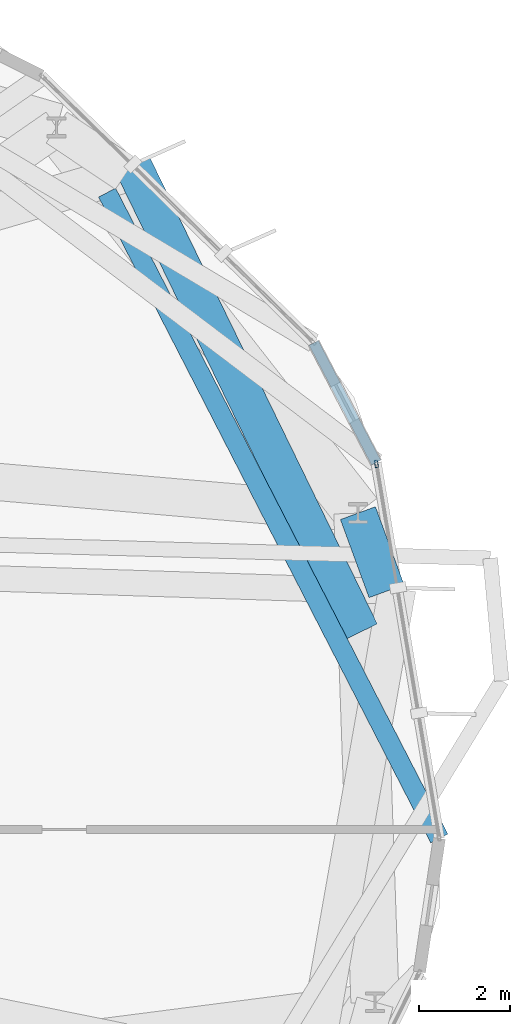
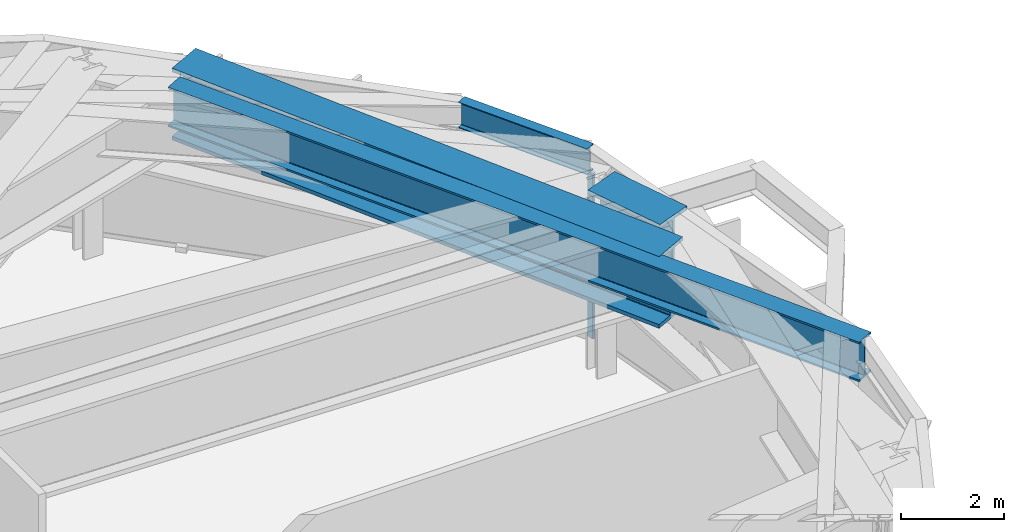
# One storey, part 15 of 27: 4 beams, 1 member, 1 element without a shape of its own.
"""IFC4 building model written with IfcOpenShell, lengths in metres."""

from ifc_helpers import new_model, si_unit, direction, frame, origin, origin_2d, place, context, subcontext, project, spatial, hollow_rectangle, i_section, extrude, material, layer, layer_set, material_profile, profile_set, type_object, element, aggregate, save


model = new_model("IFC4")

# Units and contexts
model_context = context("Model", 3, precision=1e-05, world=origin(), true_north=direction((0.0, 1.0)))
body_context = subcontext(model_context, "Body", "Model", "MODEL_VIEW")
ifc_project = project(units=[si_unit("LENGTHUNIT", "METRE"), si_unit("AREAUNIT", "SQUARE_METRE"), si_unit("VOLUMEUNIT", "CUBIC_METRE"), si_unit("PLANEANGLEUNIT", "RADIAN"), si_unit("MASSUNIT", "GRAM", prefix="KILO")], contexts=[model_context])

# Site, building, storey
site_placement = place(None, origin())
site = spatial("IfcSite", under=ifc_project, at=site_placement, CompositionType="ELEMENT")
building_placement = place(site_placement, origin())
building = spatial("IfcBuilding", under=site, at=building_placement, Name="Soratama Intermodal Tower", CompositionType="ELEMENT")
storey_placement = place(building_placement, frame((0.0, 0.0, 134.199951171875)))
storey = spatial("IfcBuildingStorey", under=building, at=storey_placement, Name="L32", CompositionType="ELEMENT", Elevation=134.199951171875)

# Beams
ifc_material_1 = material(Name="Structural steel ASTM A992 Grade 50", Category="steel")
ifc_material_profile_1 = material_profile(ifc_material_1, i_section(OverallWidth=0.423095703125, OverallDepth=0.93896484375, WebThickness=0.02392578125, FlangeThickness=0.042724609375, FilletRadius=0.02392578125, at=origin_2d()), Name="W36X302")
ifc_profile_set_1 = profile_set([ifc_material_profile_1], Name="Structural steel ASTM A992 Grade 50")
beam_type_1 = type_object("IfcBeamType", Name="BM-POD-W36X302", PredefinedType="BEAM", material=ifc_profile_set_1)
beam_1_placement = place(storey_placement, frame((55.839111328125, 37.993896484375, 4.030517578125), z_axis=(0.457403316779, -0.889259358005, 0.0), x_axis=(0.889259358005, 0.457403316779, 0.0)))
element("IfcBeam", 1, at=beam_1_placement, inside=storey, type_object=beam_type_1, Name="BM-L32-TIE0-10", PredefinedType="BEAM", context=body_context, shape_type="SweptSolid", body=[
    extrude(i_section(OverallWidth=0.423095703125, OverallDepth=0.93896484375, WebThickness=0.02392578125, FlangeThickness=0.042724609375, FilletRadius=0.02392578125, at=origin_2d()), origin(), (0.0, 0.0, 1.0), 15.959228515625),
])
ifc_material_2 = material(Name="Structural steel ASTM A992 Grade 50", Category="steel")
ifc_material_profile_2 = material_profile(ifc_material_2, i_section(OverallWidth=0.22900390625, OverallDepth=0.612060546875, WebThickness=0.011962890625, FlangeThickness=0.01953125, FilletRadius=0.012939453125, at=origin_2d()), Name="W24X84")
ifc_profile_set_2 = profile_set([ifc_material_profile_2], Name="Structural steel ASTM A992 Grade 50")
beam_type_2 = type_object("IfcBeamType", Name="BM-SPN-W24X84", PredefinedType="SPANDREL", material=ifc_profile_set_2)
beam_2_placement = place(storey_placement, frame((61.7509765625, 32.06201171875, 4.194091796875), z_axis=(-0.462554755438, 0.886590716296, 0.0), x_axis=(-0.886590716296, -0.462554755438, 0.0)))
element("IfcBeam", 2, at=beam_2_placement, inside=storey, type_object=beam_type_2, Name="BS-L32-CRN10", PredefinedType="SPANDREL", context=body_context, shape_type="SweptSolid", body=[
    extrude(i_section(OverallWidth=0.22900390625, OverallDepth=0.612060546875, WebThickness=0.011962890625, FlangeThickness=0.01953125, FilletRadius=0.012939453125, at=origin_2d()), origin(), (0.0, 0.0, 1.0), 2.96630859375),
])
ifc_material_3 = material(Name="Structural steel ASTM A992 Grade 50", Category="steel")
ifc_material_profile_3 = material_profile(ifc_material_3, i_section(OverallWidth=0.820068359375, OverallDepth=1.699951171875, WebThickness=0.053955078125, FlangeThickness=0.087890625, FilletRadius=0.02392578125, at=origin_2d()), Name="PG1580X800")
ifc_profile_set_3 = profile_set([ifc_material_profile_3], Name="Structural steel ASTM A992 Grade 50")
beam_type_3 = type_object("IfcBeamType", Name="BM-ZSTEP-PG1580", PredefinedType="BEAM", material=ifc_profile_set_3)
beam_3_placement = place(storey_placement, frame((61.406982421875, 28.3369140625, 3.650146484375), z_axis=(-0.438351126458, 0.898803810591, 0.0), x_axis=(-0.898803810591, -0.438351126458, 0.0)))
element("IfcBeam", 3, at=beam_3_placement, inside=storey, type_object=beam_type_3, Name="BM-L32-ZCHORD-02", PredefinedType="BEAM", context=body_context, shape_type="SweptSolid", body=[
    extrude(i_section(OverallWidth=0.820068359375, OverallDepth=1.699951171875, WebThickness=0.053955078125, FlangeThickness=0.087890625, FilletRadius=0.02392578125, at=origin_2d()), origin(), (0.0, 0.0, 1.0), 11.410888671875),
])
ifc_material_4 = material(Name="Structural steel ASTM A992 Grade 50", Category="steel")
ifc_material_profile_4 = material_profile(ifc_material_4, i_section(OverallWidth=0.820068359375, OverallDepth=1.60205078125, WebThickness=0.055908203125, FlangeThickness=0.092041015625, FilletRadius=0.02392578125, at=origin_2d()), Name="PG1600X650")
ifc_profile_set_4 = profile_set([ifc_material_profile_4], Name="Structural steel ASTM A992 Grade 50")
beam_type_4 = type_object("IfcBeamType", Name="BM-ZSTEP-PG1600", PredefinedType="BEAM", material=ifc_profile_set_4)
beam_4_placement = place(storey_placement, frame((61.35107421875, 30.950927734375, 3.698974609375), z_axis=(0.34392901933, -0.938995649437, 0.0), x_axis=(0.938995649437, 0.34392901933, 0.0)))
element("IfcBeam", 4, at=beam_4_placement, inside=storey, type_object=beam_type_4, Name="BM-L32-ZSTEP-A01", PredefinedType="BEAM", context=body_context, shape_type="SweptSolid", body=[
    extrude(i_section(OverallWidth=0.820068359375, OverallDepth=1.60205078125, WebThickness=0.055908203125, FlangeThickness=0.092041015625, FilletRadius=0.02392578125, at=origin_2d()), origin(), (0.0, 0.0, 1.0), 1.82861328125),
])

# Curtain wall, member
ifc_material_5 = material(Name="Double-glazed aluminium curtain wall", Category="aluminium")
ifc_layer = layer(ifc_material_5, 0.159912109375)
ifc_layer_set = layer_set([ifc_layer], Name="Double-glazed aluminium curtain wall")
curtain_wall_type = type_object("IfcCurtainWallType", Name="CW-SYS-3", PredefinedType="NOTDEFINED", material=ifc_layer_set)
curtain_wall_placement = place(storey_placement, origin())
curtain_wall = element("IfcCurtainWall", 5, at=curtain_wall_placement, inside=storey, type_object=curtain_wall_type, Name="L32 Faceted Curtain Wall F10", PredefinedType="NOTDEFINED")
ifc_material_6 = material(Name="Anodised aluminium AA 6063-T6", Category="aluminium")
ifc_material_profile_5 = material_profile(ifc_material_6, hollow_rectangle(XDim=0.070068359375, YDim=0.159912109375, WallThickness=0.0048828125, InnerFilletRadius=0.0048828125, OuterFilletRadius=0.010009765625, at=origin_2d()), Name="CWM160X70X5")
ifc_profile_set_5 = profile_set([ifc_material_profile_5], Name="Anodised aluminium AA 6063-T6")
member_type = type_object("IfcMemberType", Name="MT-CWM-3", PredefinedType="MULLION", material=ifc_profile_set_5)
member_placement = place(storey_placement, frame((61.755859375, 32.032470703125, 0.0), z_axis=(0.0, 0.0, 1.0), x_axis=(-0.986171032262, -0.165730791125, 0.0)))
member = element("IfcMember", 6, at=member_placement, type_object=member_type, Name="CW-3 mullion 2", PredefinedType="MULLION", context=body_context, shape_type="SweptSolid", body=[
    extrude(hollow_rectangle(XDim=0.070068359375, YDim=0.159912109375, WallThickness=0.0048828125, InnerFilletRadius=0.0048828125, OuterFilletRadius=0.010009765625, at=origin_2d()), origin(), (0.0, 0.0, 1.0), 3.879150390625),
])
aggregate(curtain_wall, [member])

save(model, "model.ifc")
